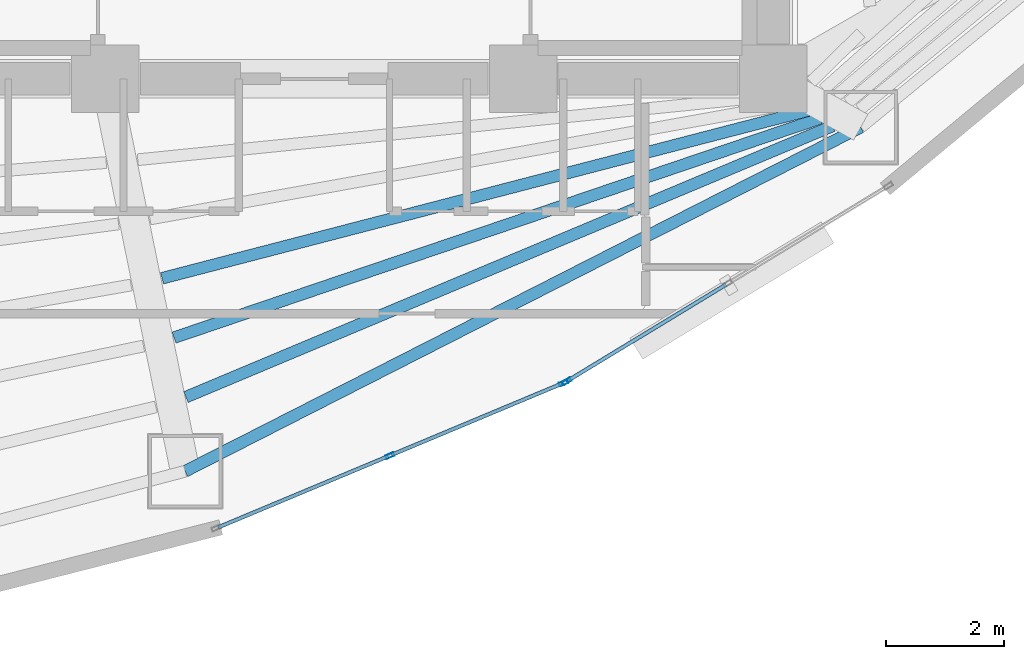
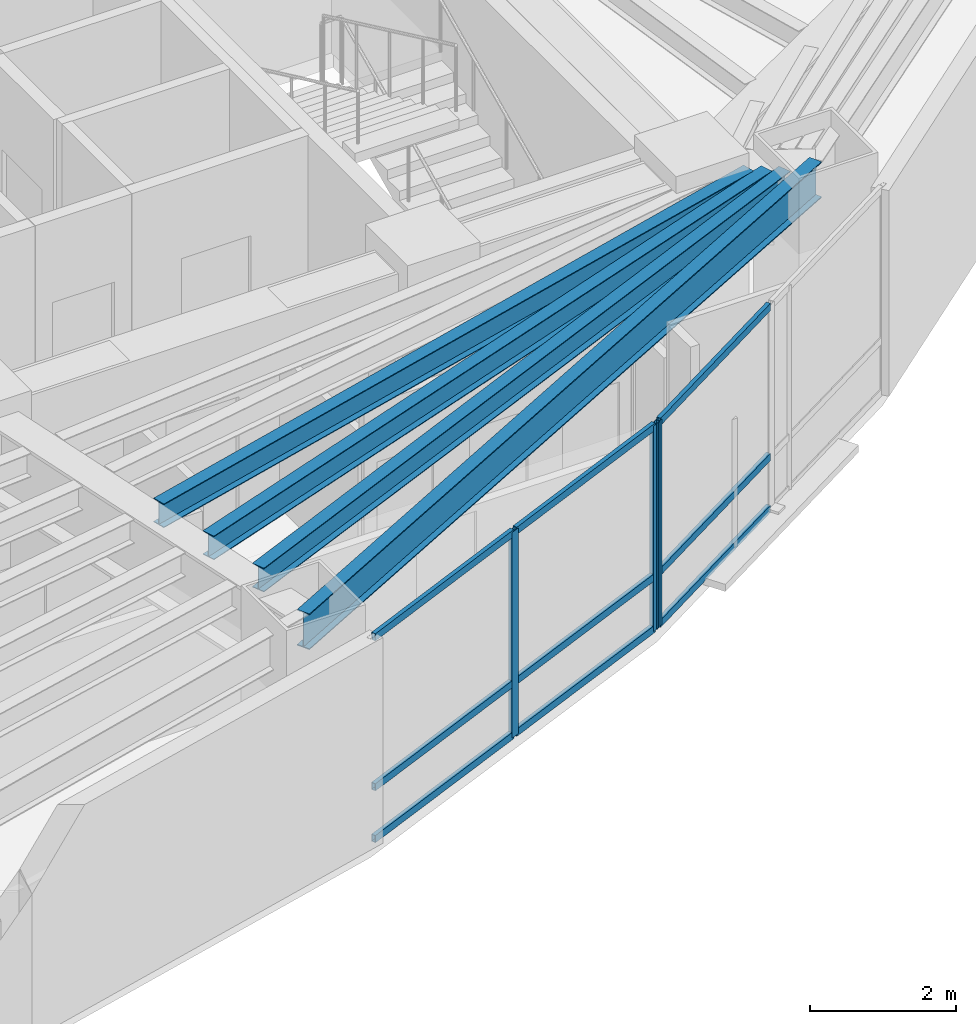
# One storey, part 4 of 17: 12 members, 4 beams, 2 elements without a shape of their own.
"""IFC4 building model written with IfcOpenShell, lengths in metres."""

from ifc_helpers import new_model, si_unit, direction, frame, origin, origin_2d, place, context, subcontext, project, spatial, hollow_rectangle, i_section, extrude, material, layer, layer_set, material_profile, profile_set, type_object, element, aggregate, save


model = new_model("IFC4")

# Units and contexts
model_context = context("Model", 3, precision=1e-05, world=origin(), true_north=direction((0.0, 1.0)))
body_context = subcontext(model_context, "Body", "Model", "MODEL_VIEW")
ifc_project = project(units=[si_unit("LENGTHUNIT", "METRE"), si_unit("AREAUNIT", "SQUARE_METRE"), si_unit("VOLUMEUNIT", "CUBIC_METRE"), si_unit("PLANEANGLEUNIT", "RADIAN"), si_unit("MASSUNIT", "GRAM", prefix="KILO")], contexts=[model_context])

# Site, building, storey
site_placement = place(None, origin())
site = spatial("IfcSite", under=ifc_project, at=site_placement, CompositionType="ELEMENT")
building_placement = place(site_placement, origin())
building = spatial("IfcBuilding", under=site, at=building_placement, Name="Menara Vayukalpa", CompositionType="ELEMENT")
storey_placement = place(building_placement, frame((0.0, 0.0, 100.260009765625)))
storey = spatial("IfcBuildingStorey", under=building, at=storey_placement, Name="L24", CompositionType="ELEMENT", Elevation=100.260009765625)

# Beams
ifc_material_1 = material(Name="Steel S355", Category="steel")
ifc_material_profile_1 = material_profile(ifc_material_1, i_section(OverallWidth=0.199951171875, OverallDepth=0.39990234375, WebThickness=0.008056640625, FlangeThickness=0.012939453125, at=origin_2d()), Name="WF 400x200x8x13")
ifc_profile_set_1 = profile_set([ifc_material_profile_1], Name="Steel S355")
beam_type_1 = type_object("IfcBeamType", Name="BM-SJ2", PredefinedType="JOIST", material=ifc_profile_set_1)
beam_1_placement = place(storey_placement, frame((23.015380859375, 13.8115234375, 3.239990234375), z_axis=(0.967917235079, 0.251269230184, 0.0), x_axis=(-0.251269230184, 0.967917235079, 0.0)))
element("IfcBeam", 1, at=beam_1_placement, inside=storey, type_object=beam_type_1, Name="L24 Secondary Floor Joist SJ08-3", PredefinedType="JOIST", context=body_context, shape_type="SweptSolid", body=[
    extrude(i_section(OverallWidth=0.199951171875, OverallDepth=0.39990234375, WebThickness=0.008056640625, FlangeThickness=0.012939453125, at=origin_2d()), origin(), (0.0, 0.0, 1.0), 11.33984375),
])
beam_2_placement = place(storey_placement, frame((23.218994140625, 12.802978515625, 3.239990234375), z_axis=(0.946949183942, 0.321383327246, 0.0), x_axis=(-0.321383327246, 0.946949183942, 0.0)))
element("IfcBeam", 2, at=beam_2_placement, inside=storey, type_object=beam_type_1, Name="L24 Secondary Floor Joist SJ08-4", PredefinedType="JOIST", context=body_context, shape_type="SweptSolid", body=[
    extrude(i_section(OverallWidth=0.199951171875, OverallDepth=0.39990234375, WebThickness=0.008056640625, FlangeThickness=0.012939453125, at=origin_2d()), origin(), (0.0, 0.0, 1.0), 11.59619140625),
])
beam_3_placement = place(storey_placement, frame((23.421630859375, 11.79296875, 3.239990234375), z_axis=(0.922222903037, 0.386658657105, 0.0), x_axis=(-0.386658657105, 0.922222903037, 0.0)))
element("IfcBeam", 3, at=beam_3_placement, inside=storey, type_object=beam_type_1, Name="L24 Secondary Floor Joist SJ08-5", PredefinedType="JOIST", context=body_context, shape_type="SweptSolid", body=[
    extrude(i_section(OverallWidth=0.199951171875, OverallDepth=0.39990234375, WebThickness=0.008056640625, FlangeThickness=0.012939453125, at=origin_2d()), origin(), (0.0, 0.0, 1.0), 11.914794921875),
])
ifc_material_2 = material(Name="Steel S355", Category="steel")
ifc_material_profile_2 = material_profile(ifc_material_2, i_section(OverallWidth=0.199951171875, OverallDepth=0.60009765625, WebThickness=0.010986328125, FlangeThickness=0.01708984375, at=origin_2d()), Name="WF 600x200x11x17")
ifc_profile_set_2 = profile_set([ifc_material_profile_2], Name="Steel S355")
beam_type_2 = type_object("IfcBeamType", Name="BM-SP1", PredefinedType="SPANDREL", material=ifc_profile_set_2)
beam_4_placement = place(storey_placement, frame((23.408203125, 10.53271484375, 3.139892578125), z_axis=(0.891097345221, 0.453812209333, 0.0), x_axis=(-0.453812209333, 0.891097345221, 0.0)))
element("IfcBeam", 4, at=beam_4_placement, inside=storey, type_object=beam_type_2, Name="L24 Perimeter Spandrel Beam SP08", PredefinedType="SPANDREL", context=body_context, shape_type="SweptSolid", body=[
    extrude(i_section(OverallWidth=0.199951171875, OverallDepth=0.60009765625, WebThickness=0.010986328125, FlangeThickness=0.01708984375, at=origin_2d()), origin(), (0.0, 0.0, 1.0), 12.88134765625),
])

# Curtain wall, members
ifc_material_3 = material(Name="Anodised Terracotta Aluminium Alloy 6063-T6", Category="masonry")
ifc_layer = layer(ifc_material_3, 0.14990234375)
ifc_layer_set = layer_set([ifc_layer], Name="Anodised Terracotta Aluminium Alloy 6063-T6")
curtain_wall_type = type_object("IfcCurtainWallType", Name="CW-CW3", PredefinedType="USERDEFINED", material=ifc_layer_set)
curtain_wall_1_placement = place(storey_placement, origin())
curtain_wall_1 = element("IfcCurtainWall", 5, at=curtain_wall_1_placement, inside=storey, type_object=curtain_wall_type, Name="L24 Mid Rise Terracotta Ribbon Curtain Wall CW3 16", ObjectType="UNITISED", PredefinedType="USERDEFINED")
ifc_material_4 = material(Name="Anodised Terracotta Aluminium Alloy 6063-T6", Category="masonry")
ifc_material_profile_3 = material_profile(ifc_material_4, hollow_rectangle(XDim=0.06494140625, YDim=0.14990234375, WallThickness=0.00341796875, at=origin_2d()), Name="ALU 65x150x3.5")
ifc_profile_set_3 = profile_set([ifc_material_profile_3], Name="Anodised Terracotta Aluminium Alloy 6063-T6")
member_type_1 = type_object("IfcMemberType", Name="CWM-CW3", PredefinedType="MULLION", material=ifc_profile_set_3)
member_1_placement = place(storey_placement, frame((26.88671875, 10.798583984375, 0.0), z_axis=(0.0, 0.0, 1.0), x_axis=(-0.38589358437, 0.922543300632, 0.0)))
member_1 = element("IfcMember", 6, at=member_1_placement, type_object=member_type_1, Name="CW3 mullion 2", PredefinedType="MULLION", context=body_context, shape_type="SweptSolid", body=[
    extrude(hollow_rectangle(XDim=0.06494140625, YDim=0.14990234375, WallThickness=0.00341796875, at=origin_2d()), origin(), (0.0, 0.0, 1.0), 3.43994140625),
])
member_2_placement = place(storey_placement, frame((29.8359375, 12.0322265625, 0.0), z_axis=(0.0, 0.0, 1.0), x_axis=(-0.38589358437, 0.922543300632, 0.0)))
member_2 = element("IfcMember", 7, at=member_2_placement, type_object=member_type_1, Name="CW3 mullion 3", PredefinedType="MULLION", context=body_context, shape_type="SweptSolid", body=[
    extrude(hollow_rectangle(XDim=0.06494140625, YDim=0.14990234375, WallThickness=0.00341796875, at=origin_2d()), origin(), (0.0, 0.0, 1.0), 3.43994140625),
])

# Curtain wall, member
curtain_wall_2_placement = place(storey_placement, origin())
curtain_wall_2 = element("IfcCurtainWall", 8, at=curtain_wall_2_placement, inside=storey, type_object=curtain_wall_type, Name="L24 Mid Rise Terracotta Ribbon Curtain Wall CW3 17", ObjectType="UNITISED", PredefinedType="USERDEFINED")
member_3_placement = place(storey_placement, frame((29.8935546875, 12.061767578125, 0.0), z_axis=(0.0, 0.0, 1.0), x_axis=(-0.519182959112, 0.854663123674, 0.0)))
member_3 = element("IfcMember", 9, at=member_3_placement, type_object=member_type_1, Name="CW3 mullion 1", PredefinedType="MULLION", context=body_context, shape_type="SweptSolid", body=[
    extrude(hollow_rectangle(XDim=0.06494140625, YDim=0.14990234375, WallThickness=0.00341796875, at=origin_2d()), origin(), (0.0, 0.0, 1.0), 3.43994140625),
])

# Member
ifc_material_5 = material(Name="Anodised Terracotta Aluminium Alloy 6063-T6", Category="masonry")
ifc_material_profile_4 = material_profile(ifc_material_5, hollow_rectangle(XDim=0.06494140625, YDim=0.1201171875, WallThickness=0.00341796875, at=origin_2d()), Name="ALU 65x120x3.5")
ifc_profile_set_4 = profile_set([ifc_material_profile_4], Name="Anodised Terracotta Aluminium Alloy 6063-T6")
member_type_2 = type_object("IfcMemberType", Name="CWT-CW3", PredefinedType="USERDEFINED", material=ifc_profile_set_4)
member_4_placement = place(storey_placement, frame((23.96728515625, 9.577392578125, 0.032470703125), z_axis=(0.922529423765, 0.385926757673, 0.0), x_axis=(-0.385926757673, 0.922529423765, 0.0)))
member_4 = element("IfcMember", 10, at=member_4_placement, type_object=member_type_2, Name="CW3 transom 1.1", ObjectType="TRANSOM", PredefinedType="USERDEFINED", context=body_context, shape_type="SweptSolid", body=[
    extrude(hollow_rectangle(XDim=0.06494140625, YDim=0.1201171875, WallThickness=0.00341796875, at=origin_2d()), origin(), (0.0, 0.0, 1.0), 3.132080078125),
])

member_5_placement = place(storey_placement, frame((23.96728515625, 9.577392578125, 0.89990234375), z_axis=(0.922529423765, 0.385926757673, 0.0), x_axis=(-0.385926757673, 0.922529423765, 0.0)))
member_5 = element("IfcMember", 11, at=member_5_placement, type_object=member_type_2, Name="CW3 transom 1.2", ObjectType="TRANSOM", PredefinedType="USERDEFINED", context=body_context, shape_type="SweptSolid", body=[
    extrude(hollow_rectangle(XDim=0.06494140625, YDim=0.1201171875, WallThickness=0.00341796875, at=origin_2d()), origin(), (0.0, 0.0, 1.0), 3.132080078125),
])

member_6_placement = place(storey_placement, frame((23.96728515625, 9.577392578125, 3.407470703125), z_axis=(0.922529423765, 0.385926757673, 0.0), x_axis=(-0.385926757673, 0.922529423765, 0.0)))
member_6 = element("IfcMember", 12, at=member_6_placement, type_object=member_type_2, Name="CW3 transom 1.3", ObjectType="TRANSOM", PredefinedType="USERDEFINED", context=body_context, shape_type="SweptSolid", body=[
    extrude(hollow_rectangle(XDim=0.06494140625, YDim=0.1201171875, WallThickness=0.00341796875, at=origin_2d()), origin(), (0.0, 0.0, 1.0), 3.132080078125),
])

member_7_placement = place(storey_placement, frame((26.916748046875, 10.81103515625, 0.032470703125), z_axis=(0.922517812792, 0.385954511673, 0.0), x_axis=(-0.385954511673, 0.922517812792, 0.0)))
member_7 = element("IfcMember", 13, at=member_7_placement, type_object=member_type_2, Name="CW3 transom 2.1", ObjectType="TRANSOM", PredefinedType="USERDEFINED", context=body_context, shape_type="SweptSolid", body=[
    extrude(hollow_rectangle(XDim=0.06494140625, YDim=0.1201171875, WallThickness=0.00341796875, at=origin_2d()), origin(), (0.0, 0.0, 1.0), 3.1318359375),
])

member_8_placement = place(storey_placement, frame((26.916748046875, 10.81103515625, 0.89990234375), z_axis=(0.922517812792, 0.385954511673, 0.0), x_axis=(-0.385954511673, 0.922517812792, 0.0)))
member_8 = element("IfcMember", 14, at=member_8_placement, type_object=member_type_2, Name="CW3 transom 2.2", ObjectType="TRANSOM", PredefinedType="USERDEFINED", context=body_context, shape_type="SweptSolid", body=[
    extrude(hollow_rectangle(XDim=0.06494140625, YDim=0.1201171875, WallThickness=0.00341796875, at=origin_2d()), origin(), (0.0, 0.0, 1.0), 3.1318359375),
])

member_9_placement = place(storey_placement, frame((26.916748046875, 10.81103515625, 3.407470703125), z_axis=(0.922517812792, 0.385954511673, 0.0), x_axis=(-0.385954511673, 0.922517812792, 0.0)))
member_9 = element("IfcMember", 15, at=member_9_placement, type_object=member_type_2, Name="CW3 transom 2.3", ObjectType="TRANSOM", PredefinedType="USERDEFINED", context=body_context, shape_type="SweptSolid", body=[
    extrude(hollow_rectangle(XDim=0.06494140625, YDim=0.1201171875, WallThickness=0.00341796875, at=origin_2d()), origin(), (0.0, 0.0, 1.0), 3.1318359375),
])

aggregate(curtain_wall_1, [member_1, member_2, member_4, member_5, member_6, member_7, member_8, member_9])

member_10_placement = place(storey_placement, frame((29.92138671875, 12.07861328125, 0.032470703125), z_axis=(0.854673871166, 0.519165266506, 0.0), x_axis=(-0.519165266506, 0.854673871166, 0.0)))
member_10 = element("IfcMember", 16, at=member_10_placement, type_object=member_type_2, Name="CW3 transom 1.1", ObjectType="TRANSOM", PredefinedType="USERDEFINED", context=body_context, shape_type="SweptSolid", body=[
    extrude(hollow_rectangle(XDim=0.06494140625, YDim=0.1201171875, WallThickness=0.00341796875, at=origin_2d()), origin(), (0.0, 0.0, 1.0), 3.1318359375),
])

member_11_placement = place(storey_placement, frame((29.92138671875, 12.07861328125, 0.89990234375), z_axis=(0.854673871166, 0.519165266506, 0.0), x_axis=(-0.519165266506, 0.854673871166, 0.0)))
member_11 = element("IfcMember", 17, at=member_11_placement, type_object=member_type_2, Name="CW3 transom 1.2", ObjectType="TRANSOM", PredefinedType="USERDEFINED", context=body_context, shape_type="SweptSolid", body=[
    extrude(hollow_rectangle(XDim=0.06494140625, YDim=0.1201171875, WallThickness=0.00341796875, at=origin_2d()), origin(), (0.0, 0.0, 1.0), 3.1318359375),
])

member_12_placement = place(storey_placement, frame((29.92138671875, 12.07861328125, 3.407470703125), z_axis=(0.854673871166, 0.519165266506, 0.0), x_axis=(-0.519165266506, 0.854673871166, 0.0)))
member_12 = element("IfcMember", 18, at=member_12_placement, type_object=member_type_2, Name="CW3 transom 1.3", ObjectType="TRANSOM", PredefinedType="USERDEFINED", context=body_context, shape_type="SweptSolid", body=[
    extrude(hollow_rectangle(XDim=0.06494140625, YDim=0.1201171875, WallThickness=0.00341796875, at=origin_2d()), origin(), (0.0, 0.0, 1.0), 3.1318359375),
])

aggregate(curtain_wall_2, [member_3, member_10, member_11, member_12])

save(model, "model.ifc")
